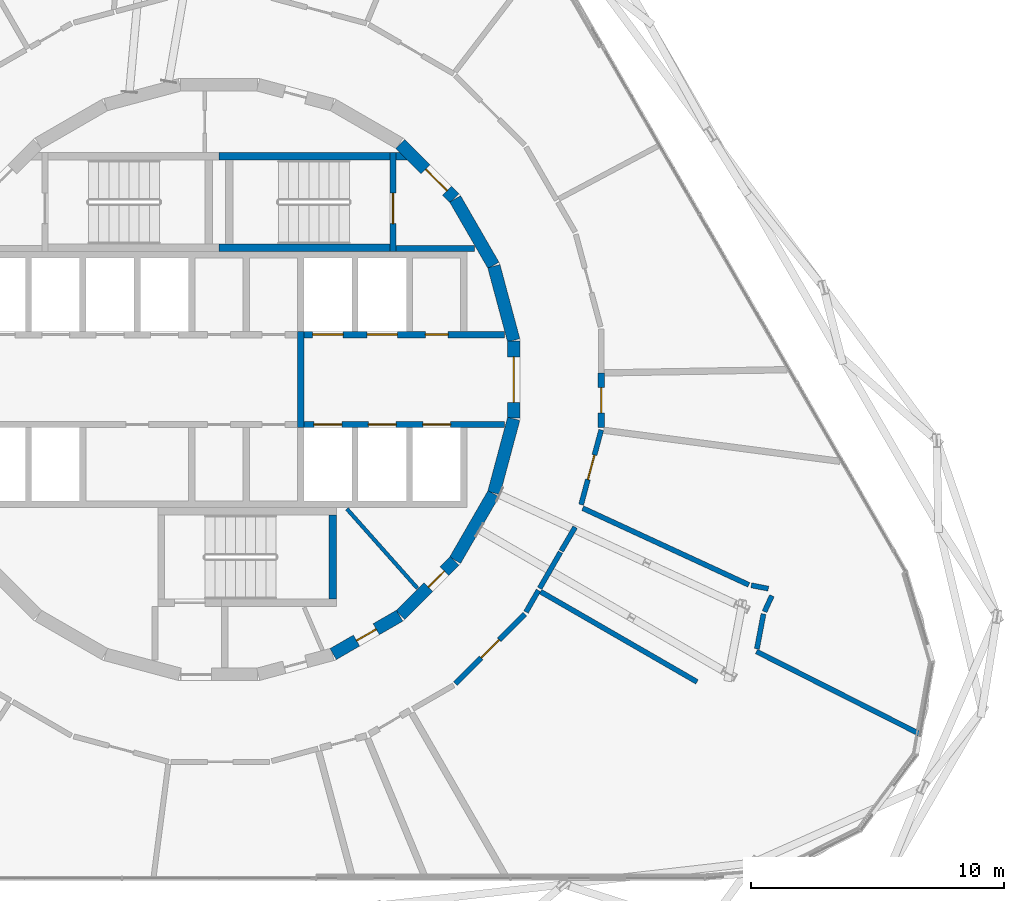
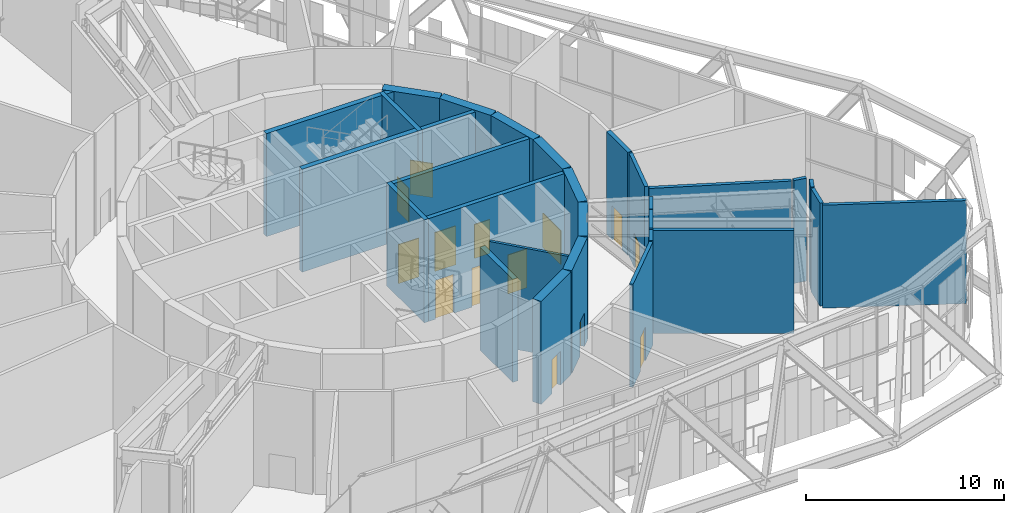
# One storey, part 25 of 29: 30 walls, 14 doors, 14 openings.
"""IFC4 building model written with IfcOpenShell, lengths in metres."""

from ifc_helpers import new_model, si_unit, direction, frame, frame_2d, origin, place, context, subcontext, project, spatial, polyline, rectangle, outline, extrude, material, layer, layer_set, type_object, element, fill, save


model = new_model("IFC4")

# Units and contexts
model_context = context("Model", 3, precision=1e-05, world=origin(), true_north=direction((0.0, 1.0)))
body_context = subcontext(model_context, "Body", "Model", "MODEL_VIEW")
ifc_project = project(units=[si_unit("LENGTHUNIT", "METRE"), si_unit("AREAUNIT", "SQUARE_METRE"), si_unit("VOLUMEUNIT", "CUBIC_METRE"), si_unit("PLANEANGLEUNIT", "RADIAN"), si_unit("MASSUNIT", "GRAM", prefix="KILO")], contexts=[model_context])

# Site, building, storey
site_placement = place(None, origin())
site = spatial("IfcSite", under=ifc_project, at=site_placement, CompositionType="ELEMENT")
building_placement = place(site_placement, origin())
building = spatial("IfcBuilding", under=site, at=building_placement, Name="Spindle Arch Residences", CompositionType="ELEMENT")
storey_placement = place(building_placement, frame((0.0, 0.0, 69.89990234375)))
storey = spatial("IfcBuildingStorey", under=building, at=storey_placement, Name="L16", CompositionType="ELEMENT", Elevation=69.89990234375)

# Wall, opening, door
ifc_material_1 = material(Name="Concrete C50/60", Category="concrete")
ifc_layer_1 = layer(ifc_material_1, 0.5)
ifc_layer_set_1 = layer_set([ifc_layer_1], Name="Core outline wall 500")
wall_type_1 = type_object("IfcWallType", Name="Core outline wall 500", PredefinedType="SHEAR", material=ifc_layer_set_1)
wall_1_placement = place(storey_placement, frame((4.510498046875, -10.84521484375, 0.0), z_axis=(0.0, 0.0, 1.0), x_axis=(0.865975092491, 0.500087131594, 0.0)))
wall_1 = element("IfcWall", 1, at=wall_1_placement, inside=storey, type_object=wall_type_1, Name="Core outline wall 2", PredefinedType="SHEAR", context=body_context, shape_type="SweptSolid", body=[
    extrude(rectangle(XDim=3.03271484375, YDim=0.5, at=frame_2d((1.516357421875, 0.0))), origin(), (0.0, 0.0, 1.0), 6.35009765625),
])
opening_1_placement = place(wall_1_placement, frame((1.06640625, 0.0, 0.0)))
opening_1 = element("IfcOpeningElement", 2, at=opening_1_placement, cuts=wall_1, Name="Opening L16-WD10", PredefinedType="OPENING", context=body_context, shape_type="SweptSolid", body=[
    extrude(rectangle(XDim=0.89990234375, YDim=2.10009765625, at=frame_2d((0.449951171875, 1.050048828125))), frame((0.0, 0.260009765625, 0.0), z_axis=(0.0, -1.0, 0.0), x_axis=(1.0, 0.0, 0.0)), (0.0, 0.0, 1.0), 0.52001953125),
])
ifc_material_2 = material(Name="Steel, fire-resisting door", Category="steel")
door_type_1 = type_object("IfcDoorType", Name="Service room door 900x2100", OperationType="SINGLE_SWING_LEFT", PredefinedType="DOOR", material=ifc_material_2)
door_1_placement = place(opening_1_placement, origin())
door_1 = element("IfcDoor", 3, at=door_1_placement, inside=storey, type_object=door_type_1, Name="Service room door L16-WD10", OperationType="SINGLE_SWING_LEFT", OverallHeight=2.10009765625, OverallWidth=0.89990234375, PredefinedType="DOOR", context=body_context, shape_type="SweptSolid", body=[
    extrude(rectangle(XDim=0.89990234375, YDim=2.10009765625, at=frame_2d((0.449951171875, 1.050048828125))), frame((0.0, 0.02490234375, 0.0), z_axis=(0.0, -1.0, 0.0), x_axis=(1.0, 0.0, 0.0)), (0.0, 0.0, 1.0), 0.050048828125),
])
fill(opening_1, door_1)

wall_2_placement = place(storey_placement, frame((7.163818359375, -9.30810546875, 0.0), z_axis=(0.0, 0.0, 1.0), x_axis=(0.707106781187, 0.707106781187, 0.0)))
wall_2 = element("IfcWall", 4, at=wall_2_placement, inside=storey, type_object=wall_type_1, Name="Core outline wall 3", PredefinedType="SHEAR", context=body_context, shape_type="SweptSolid", body=[
    extrude(rectangle(XDim=3.032470703125, YDim=0.5, at=frame_2d((1.51611328125, 0.0))), origin(), (0.0, 0.0, 1.0), 6.35009765625),
])
opening_2_placement = place(wall_2_placement, frame((1.56640625, 0.0, 0.0)))
opening_2 = element("IfcOpeningElement", 5, at=opening_2_placement, cuts=wall_2, Name="Opening L16-WD08", PredefinedType="OPENING", context=body_context, shape_type="SweptSolid", body=[
    extrude(rectangle(XDim=0.89990234375, YDim=2.10009765625, at=frame_2d((0.449951171875, 1.050048828125))), frame((0.0, 0.260009765625, 0.0), z_axis=(0.0, -1.0, 0.0), x_axis=(1.0, 0.0, 0.0)), (0.0, 0.0, 1.0), 0.52001953125),
])
door_2_placement = place(opening_2_placement, origin())
door_2 = element("IfcDoor", 6, at=door_2_placement, inside=storey, type_object=door_type_1, Name="Service room door L16-WD08", OperationType="SINGLE_SWING_LEFT", OverallHeight=2.10009765625, OverallWidth=0.89990234375, PredefinedType="DOOR", context=body_context, shape_type="SweptSolid", body=[
    extrude(rectangle(XDim=0.89990234375, YDim=2.10009765625, at=frame_2d((0.449951171875, 1.050048828125))), frame((0.0, 0.02490234375, 0.0), z_axis=(0.0, -1.0, 0.0), x_axis=(1.0, 0.0, 0.0)), (0.0, 0.0, 1.0), 0.050048828125),
])
fill(opening_2, door_2)

# Walls
for number, where, z_axis, x_axis, name in (
    (7, (9.32861328125, -7.13671875, 0.0), (0.0, 0.0, 1.0), (0.500087131594, 0.865975092491, 0.0), "Core outline wall 4"),
    (8, (10.858154296875, -4.479248046875, 0.0), (0.0, 0.0, 1.0), (0.258734743916, 0.965948410781, 0.0), "Core outline wall 5"),
):
    element("IfcWall", number, at=place(storey_placement, frame(where, z_axis=z_axis, x_axis=x_axis)), inside=storey, type_object=wall_type_1, Name=name, PredefinedType="SHEAR", context=body_context, shape_type="SweptSolid", body=[
        extrude(rectangle(XDim=3.03271484375, YDim=0.5, at=frame_2d((1.516357421875, 0.0))), origin(), (0.0, 0.0, 1.0), 6.35009765625),
    ])

# Wall, opening, door
wall_3_placement = place(storey_placement, frame((11.647216796875, -1.516357421875, 0.0), z_axis=(0.0, 0.0, 1.0), x_axis=(0.0, 1.0, 0.0)))
wall_3 = element("IfcWall", 9, at=wall_3_placement, inside=storey, type_object=wall_type_1, Name="Core outline wall 6", PredefinedType="SHEAR", context=body_context, shape_type="SweptSolid", body=[
    extrude(rectangle(XDim=3.03271484375, YDim=0.5, at=frame_2d((1.516357421875, 0.0))), origin(), (0.0, 0.0, 1.0), 6.35009765625),
])
opening_3_placement = place(wall_3_placement, frame((0.6162109375, 0.0, 0.0)))
opening_3 = element("IfcOpeningElement", 10, at=opening_3_placement, cuts=wall_3, Name="Opening L16-FE01", PredefinedType="OPENING", context=body_context, shape_type="SweptSolid", body=[
    extrude(rectangle(XDim=1.800048828125, YDim=2.10009765625, at=frame_2d((0.89990234375, 1.050048828125))), frame((0.0, 0.260009765625, 0.0), z_axis=(0.0, -1.0, 0.0), x_axis=(1.0, 0.0, 0.0)), (0.0, 0.0, 1.0), 0.52001953125),
])
ifc_material_3 = material(Name="Steel, fire-resisting door", Category="steel")
door_type_2 = type_object("IfcDoorType", Name="Fire-lift lobby door 1800x2100", OperationType="DOUBLE_DOOR_SINGLE_SWING", PredefinedType="DOOR", material=ifc_material_3)
door_3_placement = place(opening_3_placement, origin())
door_3 = element("IfcDoor", 11, at=door_3_placement, inside=storey, type_object=door_type_2, Name="Fire-lift lobby door L16-FE01", OperationType="DOUBLE_DOOR_SINGLE_SWING", OverallHeight=2.10009765625, OverallWidth=1.800048828125, PredefinedType="DOOR", context=body_context, shape_type="SweptSolid", body=[
    extrude(rectangle(XDim=1.800048828125, YDim=2.10009765625, at=frame_2d((0.89990234375, 1.050048828125))), frame((0.0, 0.02490234375, 0.0), z_axis=(0.0, -1.0, 0.0), x_axis=(1.0, 0.0, 0.0)), (0.0, 0.0, 1.0), 0.050048828125),
])
fill(opening_3, door_3)

# Walls
for number, where, z_axis, x_axis, name in (
    (12, (11.642822265625, 1.5498046875, 0.0), (0.0, 0.0, 1.0), (-0.258734743916, 0.965948410781, 0.0), "Core outline wall 7"),
    (13, (10.84521484375, 4.510498046875, 0.0), (0.0, 0.0, 1.0), (-0.500087131594, 0.865975092491, 0.0), "Core outline wall 8"),
):
    element("IfcWall", number, at=place(storey_placement, frame(where, z_axis=z_axis, x_axis=x_axis)), inside=storey, type_object=wall_type_1, Name=name, PredefinedType="SHEAR", context=body_context, shape_type="SweptSolid", body=[
        extrude(rectangle(XDim=3.03271484375, YDim=0.5, at=frame_2d((1.516357421875, 0.0))), origin(), (0.0, 0.0, 1.0), 6.35009765625),
    ])

# Wall, opening, door
wall_4_placement = place(storey_placement, frame((9.30810546875, 7.163818359375, 0.0), z_axis=(0.0, 0.0, 1.0), x_axis=(-0.707106781187, 0.707106781187, 0.0)))
wall_4 = element("IfcWall", 14, at=wall_4_placement, inside=storey, type_object=wall_type_1, Name="Core outline wall 9", PredefinedType="SHEAR", context=body_context, shape_type="SweptSolid", body=[
    extrude(rectangle(XDim=3.032470703125, YDim=0.5, at=frame_2d((1.51611328125, 0.0))), origin(), (0.0, 0.0, 1.0), 6.35009765625),
])
opening_4_placement = place(wall_4_placement, frame((0.416259765625, 0.0, 0.0)))
opening_4 = element("IfcOpeningElement", 15, at=opening_4_placement, cuts=wall_4, Name="Opening L16-AD01", PredefinedType="OPENING", context=body_context, shape_type="SweptSolid", body=[
    extrude(rectangle(XDim=1.199951171875, YDim=2.10009765625, at=frame_2d((0.60009765625, 1.050048828125))), frame((0.0, 0.260009765625, 0.0), z_axis=(0.0, -1.0, 0.0), x_axis=(1.0, 0.0, 0.0)), (0.0, 0.0, 1.0), 0.52001953125),
])
ifc_material_4 = material(Name="Steel, fire-resisting door", Category="steel")
door_type_3 = type_object("IfcDoorType", Name="Stair airlock door 1200x2100", OperationType="SINGLE_SWING_LEFT", PredefinedType="DOOR", material=ifc_material_4)
door_4_placement = place(opening_4_placement, origin())
door_4 = element("IfcDoor", 16, at=door_4_placement, inside=storey, type_object=door_type_3, Name="Stair airlock door L16-AD01", OperationType="SINGLE_SWING_RIGHT", OverallHeight=2.10009765625, OverallWidth=1.199951171875, PredefinedType="DOOR", context=body_context, shape_type="SweptSolid", body=[
    extrude(rectangle(XDim=1.199951171875, YDim=2.10009765625, at=frame_2d((0.60009765625, 1.050048828125))), frame((0.0, 0.02490234375, 0.0), z_axis=(0.0, -1.0, 0.0), x_axis=(1.0, 0.0, 0.0)), (0.0, 0.0, 1.0), 0.050048828125),
])
fill(opening_4, door_4)

# Wall, openings, doors
ifc_material_5 = material(Name="Concrete C40/50", Category="concrete")
ifc_layer_2 = layer(ifc_material_5, 0.25)
ifc_layer_set_2 = layer_set([ifc_layer_2], Name="Fire-lift lobby wall 250")
wall_type_2 = type_object("IfcWallType", Name="Fire-lift lobby wall 250", PredefinedType="SHEAR", material=ifc_layer_set_2)
wall_5_placement = place(storey_placement, frame((3.35009765625, 1.77490234375, 0.0), z_axis=(0.0, 0.0, 1.0), x_axis=(1.0, 0.0, 0.0)))
wall_5 = element("IfcWall", 17, at=wall_5_placement, inside=storey, type_object=wall_type_2, Name="Lift shaft front wall NE", PredefinedType="SHEAR", context=body_context, shape_type="SweptSolid", body=[
    extrude(rectangle(XDim=7.929931640625, YDim=0.25, at=frame_2d((3.96484375, 0.0))), origin(), (0.0, 0.0, 1.0), 6.35009765625),
])
opening_5_placement = place(wall_5_placement, frame((0.35009765625, 0.0, 0.0)))
opening_5 = element("IfcOpeningElement", 18, at=opening_5_placement, cuts=wall_5, Name="Opening L16-SLD01", PredefinedType="OPENING", context=body_context, shape_type="SweptSolid", body=[
    extrude(rectangle(XDim=1.199951171875, YDim=2.39990234375, at=frame_2d((0.60009765625, 1.199951171875))), frame((0.0, 0.135009765625, 0.0), z_axis=(0.0, -1.0, 0.0), x_axis=(1.0, 0.0, 0.0)), (0.0, 0.0, 1.0), 0.27001953125),
])
opening_6_placement = place(wall_5_placement, frame((2.5, 0.0, 0.0)))
opening_6 = element("IfcOpeningElement", 19, at=opening_6_placement, cuts=wall_5, Name="Opening L16-SLD02", PredefinedType="OPENING", context=body_context, shape_type="SweptSolid", body=[
    extrude(rectangle(XDim=1.199951171875, YDim=2.39990234375, at=frame_2d((0.60009765625, 1.199951171875))), frame((0.0, 0.135009765625, 0.0), z_axis=(0.0, -1.0, 0.0), x_axis=(1.0, 0.0, 0.0)), (0.0, 0.0, 1.0), 0.27001953125),
])
opening_7_placement = place(wall_5_placement, frame((4.800048828125, 0.0, 0.0)))
opening_7 = element("IfcOpeningElement", 20, at=opening_7_placement, cuts=wall_5, Name="Opening L16-WD03", PredefinedType="OPENING", context=body_context, shape_type="SweptSolid", body=[
    extrude(rectangle(XDim=0.89990234375, YDim=2.10009765625, at=frame_2d((0.449951171875, 1.050048828125))), frame((0.0, 0.135009765625, 0.0), z_axis=(0.0, -1.0, 0.0), x_axis=(1.0, 0.0, 0.0)), (0.0, 0.0, 1.0), 0.27001953125),
])
ifc_material_6 = material(Name="Steel, fire-resisting landing door", Category="steel")
door_type_4 = type_object("IfcDoorType", Name="Service lift landing door 1200x2400", OperationType="DOUBLE_DOOR_SLIDING", PredefinedType="DOOR", material=ifc_material_6)
door_5_placement = place(opening_5_placement, origin())
door_5 = element("IfcDoor", 21, at=door_5_placement, inside=storey, type_object=door_type_4, Name="Service lift landing door L16-SLD01", OperationType="DOUBLE_DOOR_SLIDING", OverallHeight=2.39990234375, OverallWidth=1.199951171875, PredefinedType="DOOR", context=body_context, shape_type="SweptSolid", body=[
    extrude(rectangle(XDim=1.199951171875, YDim=2.39990234375, at=frame_2d((0.60009765625, 1.199951171875))), frame((0.0, 0.02490234375, 0.0), z_axis=(0.0, -1.0, 0.0), x_axis=(1.0, 0.0, 0.0)), (0.0, 0.0, 1.0), 0.050048828125),
])
fill(opening_5, door_5)
door_6_placement = place(opening_6_placement, origin())
door_6 = element("IfcDoor", 22, at=door_6_placement, inside=storey, type_object=door_type_4, Name="Service lift landing door L16-SLD02", OperationType="DOUBLE_DOOR_SLIDING", OverallHeight=2.39990234375, OverallWidth=1.199951171875, PredefinedType="DOOR", context=body_context, shape_type="SweptSolid", body=[
    extrude(rectangle(XDim=1.199951171875, YDim=2.39990234375, at=frame_2d((0.60009765625, 1.199951171875))), frame((0.0, 0.02490234375, 0.0), z_axis=(0.0, -1.0, 0.0), x_axis=(1.0, 0.0, 0.0)), (0.0, 0.0, 1.0), 0.050048828125),
])
fill(opening_6, door_6)
door_7_placement = place(opening_7_placement, origin())
door_7 = element("IfcDoor", 23, at=door_7_placement, inside=storey, type_object=door_type_1, Name="Service room door L16-WD03", OperationType="SINGLE_SWING_RIGHT", OverallHeight=2.10009765625, OverallWidth=0.89990234375, PredefinedType="DOOR", context=body_context, shape_type="SweptSolid", body=[
    extrude(rectangle(XDim=0.89990234375, YDim=2.10009765625, at=frame_2d((0.449951171875, 1.050048828125))), frame((0.0, 0.02490234375, 0.0), z_axis=(0.0, -1.0, 0.0), x_axis=(1.0, 0.0, 0.0)), (0.0, 0.0, 1.0), 0.050048828125),
])
fill(opening_7, door_7)

# Wall
wall_6_placement = place(storey_placement, frame((3.22509765625, -1.89990234375, 0.0), z_axis=(0.0, 0.0, 1.0), x_axis=(0.0, 1.0, 0.0)))
element("IfcWall", 24, at=wall_6_placement, inside=storey, type_object=wall_type_2, Name="Fire-fighting lobby partition", PredefinedType="SHEAR", context=body_context, shape_type="SweptSolid", body=[
    extrude(rectangle(XDim=3.7998046875, YDim=0.25, at=frame_2d((1.89990234375, 0.0))), origin(), (0.0, 0.0, 1.0), 6.35009765625),
])

# Wall, openings, doors
ifc_material_7 = material(Name="Concrete C50/60", Category="concrete")
ifc_layer_3 = layer(ifc_material_7, 0.25)
ifc_layer_set_3 = layer_set([ifc_layer_3], Name="Fire-lift shaft wall 250")
wall_type_3 = type_object("IfcWallType", Name="Fire-lift shaft wall 250", PredefinedType="SHEAR", material=ifc_layer_set_3)
wall_7_placement = place(storey_placement, frame((3.35009765625, -1.77490234375, 0.0), z_axis=(0.0, 0.0, 1.0), x_axis=(1.0, 0.0, 0.0)))
wall_7 = element("IfcWall", 25, at=wall_7_placement, inside=storey, type_object=wall_type_3, Name="Lift shaft front wall SE", PredefinedType="SHEAR", context=body_context, shape_type="SweptSolid", body=[
    extrude(rectangle(XDim=7.929931640625, YDim=0.25, at=frame_2d((3.96484375, 0.0))), origin(), (0.0, 0.0, 1.0), 6.35009765625),
])
opening_8_placement = place(wall_7_placement, frame((0.39990234375, 0.0, 0.0)))
opening_8 = element("IfcOpeningElement", 26, at=opening_8_placement, cuts=wall_7, Name="Opening L16-FLD01", PredefinedType="OPENING", context=body_context, shape_type="SweptSolid", body=[
    extrude(rectangle(XDim=1.10009765625, YDim=2.39990234375, at=frame_2d((0.550048828125, 1.199951171875))), frame((0.0, 0.135009765625, 0.0), z_axis=(0.0, -1.0, 0.0), x_axis=(1.0, 0.0, 0.0)), (0.0, 0.0, 1.0), 0.27001953125),
])
opening_9_placement = place(wall_7_placement, frame((2.550048828125, 0.0, 0.0)))
opening_9 = element("IfcOpeningElement", 27, at=opening_9_placement, cuts=wall_7, Name="Opening L16-FLD02", PredefinedType="OPENING", context=body_context, shape_type="SweptSolid", body=[
    extrude(rectangle(XDim=1.10009765625, YDim=2.39990234375, at=frame_2d((0.550048828125, 1.199951171875))), frame((0.0, 0.135009765625, 0.0), z_axis=(0.0, -1.0, 0.0), x_axis=(1.0, 0.0, 0.0)), (0.0, 0.0, 1.0), 0.27001953125),
])
opening_10_placement = place(wall_7_placement, frame((4.699951171875, 0.0, 0.0)))
opening_10 = element("IfcOpeningElement", 28, at=opening_10_placement, cuts=wall_7, Name="Opening L16-FLD03", PredefinedType="OPENING", context=body_context, shape_type="SweptSolid", body=[
    extrude(rectangle(XDim=1.10009765625, YDim=2.39990234375, at=frame_2d((0.550048828125, 1.199951171875))), frame((0.0, 0.135009765625, 0.0), z_axis=(0.0, -1.0, 0.0), x_axis=(1.0, 0.0, 0.0)), (0.0, 0.0, 1.0), 0.27001953125),
])
ifc_material_8 = material(Name="Steel, fire-resisting landing door", Category="steel")
door_type_5 = type_object("IfcDoorType", Name="Fire-fighting lift landing door 1100x2400", OperationType="DOUBLE_DOOR_SLIDING", PredefinedType="DOOR", material=ifc_material_8)
door_8_placement = place(opening_8_placement, origin())
door_8 = element("IfcDoor", 29, at=door_8_placement, inside=storey, type_object=door_type_5, Name="Fire-fighting lift landing door L16-FLD01", OperationType="DOUBLE_DOOR_SLIDING", OverallHeight=2.39990234375, OverallWidth=1.10009765625, PredefinedType="DOOR", context=body_context, shape_type="SweptSolid", body=[
    extrude(rectangle(XDim=1.10009765625, YDim=2.39990234375, at=frame_2d((0.550048828125, 1.199951171875))), frame((0.0, 0.02490234375, 0.0), z_axis=(0.0, -1.0, 0.0), x_axis=(1.0, 0.0, 0.0)), (0.0, 0.0, 1.0), 0.050048828125),
])
fill(opening_8, door_8)
door_9_placement = place(opening_9_placement, origin())
door_9 = element("IfcDoor", 30, at=door_9_placement, inside=storey, type_object=door_type_5, Name="Fire-fighting lift landing door L16-FLD02", OperationType="DOUBLE_DOOR_SLIDING", OverallHeight=2.39990234375, OverallWidth=1.10009765625, PredefinedType="DOOR", context=body_context, shape_type="SweptSolid", body=[
    extrude(rectangle(XDim=1.10009765625, YDim=2.39990234375, at=frame_2d((0.550048828125, 1.199951171875))), frame((0.0, 0.02490234375, 0.0), z_axis=(0.0, -1.0, 0.0), x_axis=(1.0, 0.0, 0.0)), (0.0, 0.0, 1.0), 0.050048828125),
])
fill(opening_9, door_9)
door_10_placement = place(opening_10_placement, origin())
door_10 = element("IfcDoor", 31, at=door_10_placement, inside=storey, type_object=door_type_5, Name="Fire-fighting lift landing door L16-FLD03", OperationType="DOUBLE_DOOR_SLIDING", OverallHeight=2.39990234375, OverallWidth=1.10009765625, PredefinedType="DOOR", context=body_context, shape_type="SweptSolid", body=[
    extrude(rectangle(XDim=1.10009765625, YDim=2.39990234375, at=frame_2d((0.550048828125, 1.199951171875))), frame((0.0, 0.02490234375, 0.0), z_axis=(0.0, -1.0, 0.0), x_axis=(1.0, 0.0, 0.0)), (0.0, 0.0, 1.0), 0.050048828125),
])
fill(opening_10, door_10)

# Wall, opening, door
ifc_material_9 = material(Name="Concrete C25/30 wall", Category="concrete")
ifc_layer_4 = layer(ifc_material_9, 0.25)
ifc_layer_set_4 = layer_set([ifc_layer_4], Name="Partition EI 120 250 plant")
wall_type_4 = type_object("IfcWallType", Name="Partition EI 120 250 plant", PredefinedType="PARTITIONING", material=ifc_layer_set_4)
wall_8_placement = place(storey_placement, frame((15.10009765625, -1.889892578125, 0.0), z_axis=(0.0, 0.0, 1.0), x_axis=(0.0, 1.0, 0.0)))
wall_8 = element("IfcWall", 32, at=wall_8_placement, inside=storey, type_object=wall_type_4, Name="L16-W062", PredefinedType="PARTITIONING", context=body_context, shape_type="SweptSolid", body=[
    extrude(rectangle(XDim=2.14990234375, YDim=0.25, at=frame_2d((1.074951171875, 0.0))), origin(), (0.0, 0.0, 1.0), 6.35009765625),
])
opening_11_placement = place(wall_8_placement, frame((0.574951171875, 0.0, 0.0)))
opening_11 = element("IfcOpeningElement", 33, at=opening_11_placement, cuts=wall_8, Name="Opening L16-D09", PredefinedType="OPENING", context=body_context, shape_type="SweptSolid", body=[
    extrude(rectangle(XDim=1.0, YDim=2.10009765625, at=frame_2d((0.5, 1.050048828125))), frame((0.0, 0.135009765625, 0.0), z_axis=(0.0, -1.0, 0.0), x_axis=(1.0, 0.0, 0.0)), (0.0, 0.0, 1.0), 0.27001953125),
])
ifc_material_10 = material(Name="Steel door leaf, painted", Category="steel")
door_type_6 = type_object("IfcDoorType", Name="Door 1000x2100 EI 60", OperationType="SINGLE_SWING_LEFT", PredefinedType="DOOR", material=ifc_material_10)
door_11_placement = place(opening_11_placement, origin())
door_11 = element("IfcDoor", 34, at=door_11_placement, inside=storey, type_object=door_type_6, Name="L16-D09", OperationType="SINGLE_SWING_LEFT", OverallHeight=2.10009765625, OverallWidth=1.0, PredefinedType="DOOR", context=body_context, shape_type="SweptSolid", body=[
    extrude(rectangle(XDim=1.0, YDim=2.10009765625, at=frame_2d((0.5, 1.050048828125))), frame((0.0, 0.02490234375, 0.0), z_axis=(0.0, -1.0, 0.0), x_axis=(1.0, 0.0, 0.0)), (0.0, 0.0, 1.0), 0.050048828125),
])
fill(opening_11, door_11)

ifc_material_11 = material(Name="Gypsum board partition on steel studs", Category="steel")
ifc_layer_5 = layer(ifc_material_11, 0.199951171875)
ifc_layer_set_5 = layer_set([ifc_layer_5], Name="Partition EI 60 200 amenity")
wall_type_5 = type_object("IfcWallType", Name="Partition EI 60 200 amenity", PredefinedType="PARTITIONING", material=ifc_layer_set_5)
wall_9_placement = place(storey_placement, frame((9.3408203125, -12.00927734375, 0.0), z_axis=(0.0, 0.0, 1.0), x_axis=(0.707106781187, 0.707106781187, 0.0)))
wall_9 = element("IfcWall", 35, at=wall_9_placement, inside=storey, type_object=wall_type_5, Name="L16-W049", PredefinedType="PARTITIONING", context=body_context, shape_type="SweptSolid", body=[
    extrude(rectangle(XDim=3.873779296875, YDim=0.199951171875, at=frame_2d((1.93701171875, 0.0))), origin(), (0.0, 0.0, 1.0), 6.35009765625),
])
opening_12_placement = place(wall_9_placement, frame((1.43701171875, 0.0, 0.0)))
opening_12 = element("IfcOpeningElement", 36, at=opening_12_placement, cuts=wall_9, Name="Opening L16-D06", PredefinedType="OPENING", context=body_context, shape_type="SweptSolid", body=[
    extrude(rectangle(XDim=1.0, YDim=2.10009765625, at=frame_2d((0.5, 1.050048828125))), frame((0.0, 0.10986328125, 0.0), z_axis=(0.0, -1.0, 0.0), x_axis=(1.0, 0.0, 0.0)), (0.0, 0.0, 1.0), 0.219970703125),
])
ifc_material_12 = material(Name="Timber door leaf", Category="wood")
door_type_7 = type_object("IfcDoorType", Name="Door 1000x2100 EI 30", OperationType="SINGLE_SWING_LEFT", PredefinedType="DOOR", material=ifc_material_12)
door_12_placement = place(opening_12_placement, origin())
door_12 = element("IfcDoor", 37, at=door_12_placement, inside=storey, type_object=door_type_7, Name="L16-D06", OperationType="SINGLE_SWING_LEFT", OverallHeight=2.10009765625, OverallWidth=1.0, PredefinedType="DOOR", context=body_context, shape_type="SweptSolid", body=[
    extrude(rectangle(XDim=1.0, YDim=2.10009765625, at=frame_2d((0.5, 1.050048828125))), frame((0.0, 0.02490234375, 0.0), z_axis=(0.0, -1.0, 0.0), x_axis=(1.0, 0.0, 0.0)), (0.0, 0.0, 1.0), 0.050048828125),
])
fill(opening_12, door_12)

# Walls
wall_10_placement = place(storey_placement, frame((12.1298828125, -9.183349609375, 0.0), z_axis=(0.0, 0.0, 1.0), x_axis=(0.498168116644, 0.867080461987, 0.0)))
element("IfcWall", 38, at=wall_10_placement, inside=storey, type_object=wall_type_5, Name="L16-W053", PredefinedType="PARTITIONING", context=body_context, shape_type="SweptSolid", body=[
    extrude(rectangle(XDim=0.984130859375, YDim=0.199951171875, at=frame_2d((0.4921875, 0.0))), origin(), (0.0, 0.0, 1.0), 6.35009765625),
])
wall_11_placement = place(storey_placement, frame((12.669921875, -8.243408203125, 0.0), z_axis=(0.0, 0.0, 1.0), x_axis=(0.499224871441, 0.866472462191, 0.0)))
element("IfcWall", 39, at=wall_11_placement, inside=storey, type_object=wall_type_5, Name="L16-W055", PredefinedType="PARTITIONING", context=body_context, shape_type="SweptSolid", body=[
    extrude(rectangle(XDim=1.642578125, YDim=0.199951171875, at=frame_2d((0.8212890625, 0.0))), origin(), (0.0, 0.0, 1.0), 6.35009765625),
])
wall_12_placement = place(storey_placement, frame((12.70654296875, -8.3798828125, 0.0), z_axis=(0.0, 0.0, 1.0), x_axis=(0.866276777452, -0.49956435506, 0.0)))
element("IfcWall", 40, at=wall_12_placement, inside=storey, type_object=wall_type_5, Name="L16-W056", PredefinedType="PARTITIONING", context=body_context, shape_type="SweptSolid", body=[
    extrude(rectangle(XDim=7.130126953125, YDim=0.199951171875, at=frame_2d((3.56494140625, 0.0))), origin(), (0.0, 0.0, 1.0), 6.35009765625),
])
wall_13_placement = place(storey_placement, frame((13.52001953125, -6.77001953125, 0.0), z_axis=(0.0, 0.0, 1.0), x_axis=(0.505069244795, 0.863078824883, 0.0)))
element("IfcWall", 41, at=wall_13_placement, inside=storey, type_object=wall_type_5, Name="L16-W059", PredefinedType="PARTITIONING", context=body_context, shape_type="SweptSolid", body=[
    extrude(rectangle(XDim=1.089111328125, YDim=0.199951171875, at=frame_2d((0.54443359375, 0.0))), origin(), (0.0, 0.0, 1.0), 6.35009765625),
])

# Wall, opening, door
wall_14_placement = place(storey_placement, frame((14.305908203125, -4.943359375, 0.0), z_axis=(0.0, 0.0, 1.0), x_axis=(0.259684315005, 0.965693562441, 0.0)))
wall_14 = element("IfcWall", 42, at=wall_14_placement, inside=storey, type_object=wall_type_5, Name="L16-W061", PredefinedType="PARTITIONING", context=body_context, shape_type="SweptSolid", body=[
    extrude(rectangle(XDim=3.058349609375, YDim=0.199951171875, at=frame_2d((1.529296875, 0.0))), origin(), (0.0, 0.0, 1.0), 6.35009765625),
])
opening_13_placement = place(wall_14_placement, frame((1.029296875, 0.0, 0.0)))
opening_13 = element("IfcOpeningElement", 43, at=opening_13_placement, cuts=wall_14, Name="Opening L16-D08", PredefinedType="OPENING", context=body_context, shape_type="SweptSolid", body=[
    extrude(rectangle(XDim=1.0, YDim=2.10009765625, at=frame_2d((0.5, 1.050048828125))), frame((0.0, 0.10986328125, 0.0), z_axis=(0.0, -1.0, 0.0), x_axis=(1.0, 0.0, 0.0)), (0.0, 0.0, 1.0), 0.219970703125),
])
door_13_placement = place(opening_13_placement, origin())
door_13 = element("IfcDoor", 44, at=door_13_placement, inside=storey, type_object=door_type_7, Name="L16-D08", OperationType="SINGLE_SWING_LEFT", OverallHeight=2.10009765625, OverallWidth=1.0, PredefinedType="DOOR", context=body_context, shape_type="SweptSolid", body=[
    extrude(rectangle(XDim=1.0, YDim=2.10009765625, at=frame_2d((0.5, 1.050048828125))), frame((0.0, 0.02490234375, 0.0), z_axis=(0.0, -1.0, 0.0), x_axis=(1.0, 0.0, 0.0)), (0.0, 0.0, 1.0), 0.050048828125),
])
fill(opening_13, door_13)

# Walls
wall_15_placement = place(storey_placement, frame((20.929931640625, -8.110107421875, 0.0), z_axis=(0.0, 0.0, 1.0), x_axis=(-0.907916848499, 0.419150326507, 0.0)))
element("IfcWall", 45, at=wall_15_placement, inside=storey, type_object=wall_type_5, Name="L16-W067", PredefinedType="PARTITIONING", context=body_context, shape_type="SweptSolid", body=[
    extrude(rectangle(XDim=7.224365234375, YDim=0.199951171875, at=frame_2d((3.6123046875, 0.0))), origin(), (0.0, 0.0, 1.0), 6.35009765625),
])
wall_16_placement = place(storey_placement, frame((21.23095703125, -10.740478515625, 0.0), z_axis=(0.0, 0.0, 1.0), x_axis=(0.892491459774, -0.451064290573, 0.0)))
element("IfcWall", 46, at=wall_16_placement, inside=storey, type_object=wall_type_5, Name="L16-W068", PredefinedType="PARTITIONING", context=body_context, shape_type="SweptSolid", body=[
    extrude(rectangle(XDim=7.270751953125, YDim=0.199951171875, at=frame_2d((3.63525390625, 0.0))), origin(), (0.0, 0.0, 1.0), 6.35009765625),
])
wall_17_placement = place(storey_placement, frame((21.510009765625, -9.260009765625, 0.0), z_axis=(0.0, 0.0, 1.0), x_axis=(-0.185189665268, -0.982702797329, 0.0)))
element("IfcWall", 47, at=wall_17_placement, inside=storey, type_object=wall_type_5, Name="L16-W069", PredefinedType="PARTITIONING", context=body_context, shape_type="SweptSolid", body=[
    extrude(rectangle(XDim=1.40673828125, YDim=0.199951171875, at=frame_2d((0.703369140625, 0.0))), origin(), (0.0, 0.0, 1.0), 6.35009765625),
])
wall_18_placement = place(storey_placement, frame((21.5517578125, -9.169189453125, 0.0), z_axis=(0.0, 0.0, 1.0), x_axis=(0.416618269339, 0.909081524206, 0.0)))
element("IfcWall", 48, at=wall_18_placement, inside=storey, type_object=wall_type_5, Name="L16-W070", PredefinedType="PARTITIONING", context=body_context, shape_type="SweptSolid", body=[
    extrude(rectangle(XDim=0.692138671875, YDim=0.199951171875, at=frame_2d((0.34619140625, 0.0))), origin(), (0.0, 0.0, 1.0), 6.35009765625),
])
wall_19_placement = place(storey_placement, frame((21.699951171875, -8.260009765625, 0.0), z_axis=(0.0, 0.0, 1.0), x_axis=(-0.981555941324, 0.191175139735, 0.0)))
element("IfcWall", 49, at=wall_19_placement, inside=storey, type_object=wall_type_5, Name="L16-W071", PredefinedType="PARTITIONING", context=body_context, shape_type="SweptSolid", body=[
    extrude(rectangle(XDim=0.6845703125, YDim=0.199951171875, at=frame_2d((0.34228515625, 0.0))), origin(), (0.0, 0.0, 1.0), 6.35009765625),
])
ifc_material_13 = material(Name="Concrete C25/30", Category="concrete")
ifc_layer_6 = layer(ifc_material_13, 0.14990234375)
ifc_layer_set_6 = layer_set([ifc_layer_6], Name="Service room partition 150")
wall_type_6 = type_object("IfcWallType", Name="Service room partition 150", PredefinedType="PARTITIONING", material=ifc_layer_set_6)
wall_20_placement = place(storey_placement, frame((7.84228515625, -8.24755859375, 0.0), z_axis=(0.0, 0.0, 1.0), x_axis=(-0.66446128181, 0.747322691329, 0.0)))
element("IfcWall", 50, at=wall_20_placement, inside=storey, type_object=wall_type_6, Name="Core service room partition", PredefinedType="PARTITIONING", context=body_context, shape_type="SweptSolid", body=[
    extrude(rectangle(XDim=4.198486328125, YDim=0.14990234375, at=frame_2d((2.09912109375, 0.0))), origin(), (0.0, 0.0, 1.0), 6.35009765625),
])
ifc_material_14 = material(Name="Concrete C40/50", Category="concrete")
ifc_layer_7 = layer(ifc_material_14, 0.25)
ifc_layer_set_7 = layer_set([ifc_layer_7], Name="Stair airlock wall 250")
wall_type_7 = type_object("IfcWallType", Name="Stair airlock wall 250", PredefinedType="SHEAR", material=ifc_layer_set_7)
wall_21_placement = place(storey_placement, frame((7.0, 5.175048828125, 0.0), z_axis=(0.0, 0.0, 1.0), x_axis=(1.0, 0.0, 0.0)))
element("IfcWall", 51, at=wall_21_placement, inside=storey, type_object=wall_type_7, Name="Stair ST-1 airlock wall S", PredefinedType="SHEAR", context=body_context, shape_type="SweptSolid", body=[
    extrude(rectangle(XDim=3.10009765625, YDim=0.25, at=frame_2d((1.550048828125, 0.0))), origin(), (0.0, 0.0, 1.0), 6.35009765625),
])
ifc_material_15 = material(Name="Concrete C40/50", Category="concrete")
wall_type_8 = type_object("IfcWallType", Name="Stair airlock wall profile", PredefinedType="SHEAR", material=ifc_material_15)
wall_22_placement = place(storey_placement, origin())
element("IfcWall", 52, at=wall_22_placement, inside=storey, type_object=wall_type_8, Name="Stair ST-1 airlock wall N", PredefinedType="SHEAR", context=body_context, shape_type="SweptSolid", body=[
    extrude(outline(polyline([(7.4482421875, 8.669921875), (7.0, 8.669921875), (7.0, 8.969970703125), (7.148193359375, 8.969970703125), (7.4482421875, 8.669921875)])), origin(), (0.0, 0.0, 1.0), 6.35009765625),
])

# Wall, opening, door
ifc_material_16 = material(Name="Concrete C50/60", Category="concrete")
ifc_layer_8 = layer(ifc_material_16, 0.25)
ifc_layer_set_8 = layer_set([ifc_layer_8], Name="Stair enclosure wall 250")
wall_type_9 = type_object("IfcWallType", Name="Stair enclosure wall 250", PredefinedType="SHEAR", material=ifc_layer_set_8)
wall_23_placement = place(storey_placement, frame((6.875, 5.050048828125, 0.0), z_axis=(0.0, 0.0, 1.0), x_axis=(0.0, 1.0, 0.0)))
wall_23 = element("IfcWall", 53, at=wall_23_placement, inside=storey, type_object=wall_type_9, Name="Stair ST-1 door wall", PredefinedType="SHEAR", context=body_context, shape_type="SweptSolid", body=[
    extrude(rectangle(XDim=3.919921875, YDim=0.25, at=frame_2d((1.9599609375, 0.0))), origin(), (0.0, 0.0, 1.0), 6.35009765625),
])
opening_14_placement = place(wall_23_placement, frame((1.110107421875, 0.0, 0.0)))
opening_14 = element("IfcOpeningElement", 54, at=opening_14_placement, cuts=wall_23, Name="Opening L16-SD01", PredefinedType="OPENING", context=body_context, shape_type="SweptSolid", body=[
    extrude(rectangle(XDim=1.199951171875, YDim=2.10009765625, at=frame_2d((0.60009765625, 1.050048828125))), frame((0.0, 0.135009765625, 0.0), z_axis=(0.0, -1.0, 0.0), x_axis=(1.0, 0.0, 0.0)), (0.0, 0.0, 1.0), 0.27001953125),
])
ifc_material_17 = material(Name="Steel, fire-resisting door", Category="steel")
door_type_8 = type_object("IfcDoorType", Name="Stair door 1200x2100", OperationType="SINGLE_SWING_RIGHT", PredefinedType="DOOR", material=ifc_material_17)
door_14_placement = place(opening_14_placement, origin())
door_14 = element("IfcDoor", 55, at=door_14_placement, inside=storey, type_object=door_type_8, Name="Stair door L16-SD01", OperationType="SINGLE_SWING_LEFT", OverallHeight=2.10009765625, OverallWidth=1.199951171875, PredefinedType="DOOR", context=body_context, shape_type="SweptSolid", body=[
    extrude(rectangle(XDim=1.199951171875, YDim=2.10009765625, at=frame_2d((0.60009765625, 1.050048828125))), frame((0.0, 0.02490234375, 0.0), z_axis=(0.0, -1.0, 0.0), x_axis=(1.0, 0.0, 0.0)), (0.0, 0.0, 1.0), 0.050048828125),
])
fill(opening_14, door_14)

# Walls
ifc_material_18 = material(Name="Concrete C50/60", Category="concrete")
ifc_layer_9 = layer(ifc_material_18, 0.300048828125)
ifc_layer_set_9 = layer_set([ifc_layer_9], Name="Stair enclosure wall 300")
wall_type_10 = type_object("IfcWallType", Name="Stair enclosure wall 300", PredefinedType="SHEAR", material=ifc_layer_set_9)
for number, where, z_axis, x_axis, name in (
    (56, (0.0, 5.199951171875, 0.0), (0.0, 0.0, 1.0), (1.0, 0.0, 0.0), "Stair ST-1 enclosure wall S"),
    (57, (0.0, 8.820068359375, 0.0), (0.0, 0.0, 1.0), (1.0, 0.0, 0.0), "Stair ST-1 enclosure wall N"),
):
    element("IfcWall", number, at=place(storey_placement, frame(where, z_axis=z_axis, x_axis=x_axis)), inside=storey, type_object=wall_type_10, Name=name, PredefinedType="SHEAR", context=body_context, shape_type="SweptSolid", body=[
        extrude(rectangle(XDim=6.75, YDim=0.300048828125, at=frame_2d((3.375, 0.0))), origin(), (0.0, 0.0, 1.0), 6.35009765625),
    ])
wall_24_placement = place(storey_placement, frame((4.5, -8.669921875, 0.0), z_axis=(0.0, 0.0, 1.0), x_axis=(0.0, 1.0, 0.0)))
element("IfcWall", 58, at=wall_24_placement, inside=storey, type_object=wall_type_10, Name="Stair ST-3 enclosure wall E", PredefinedType="SHEAR", context=body_context, shape_type="SweptSolid", body=[
    extrude(rectangle(XDim=3.31982421875, YDim=0.300048828125, at=frame_2d((1.659912109375, 0.0))), origin(), (0.0, 0.0, 1.0), 6.35009765625),
])

save(model, "model.ifc")
